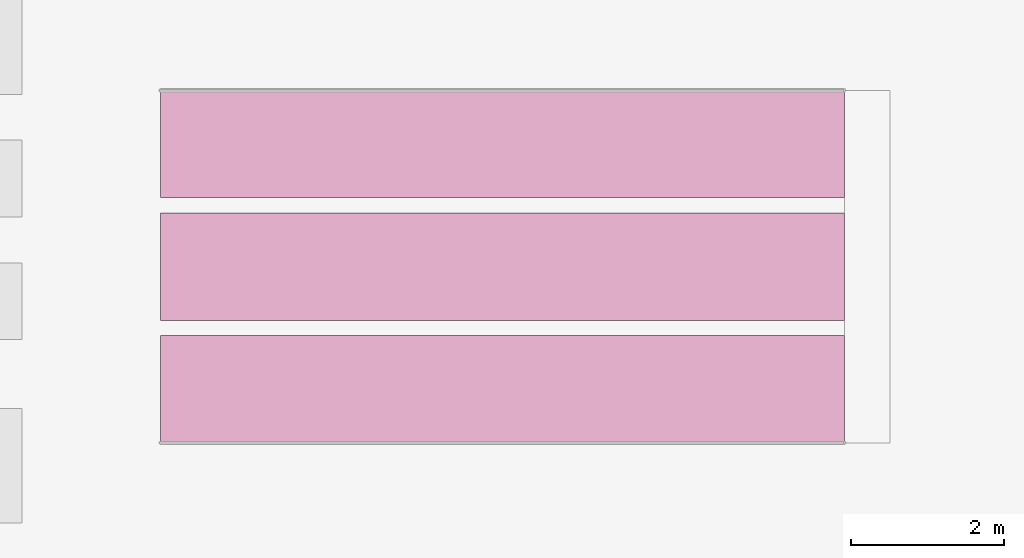
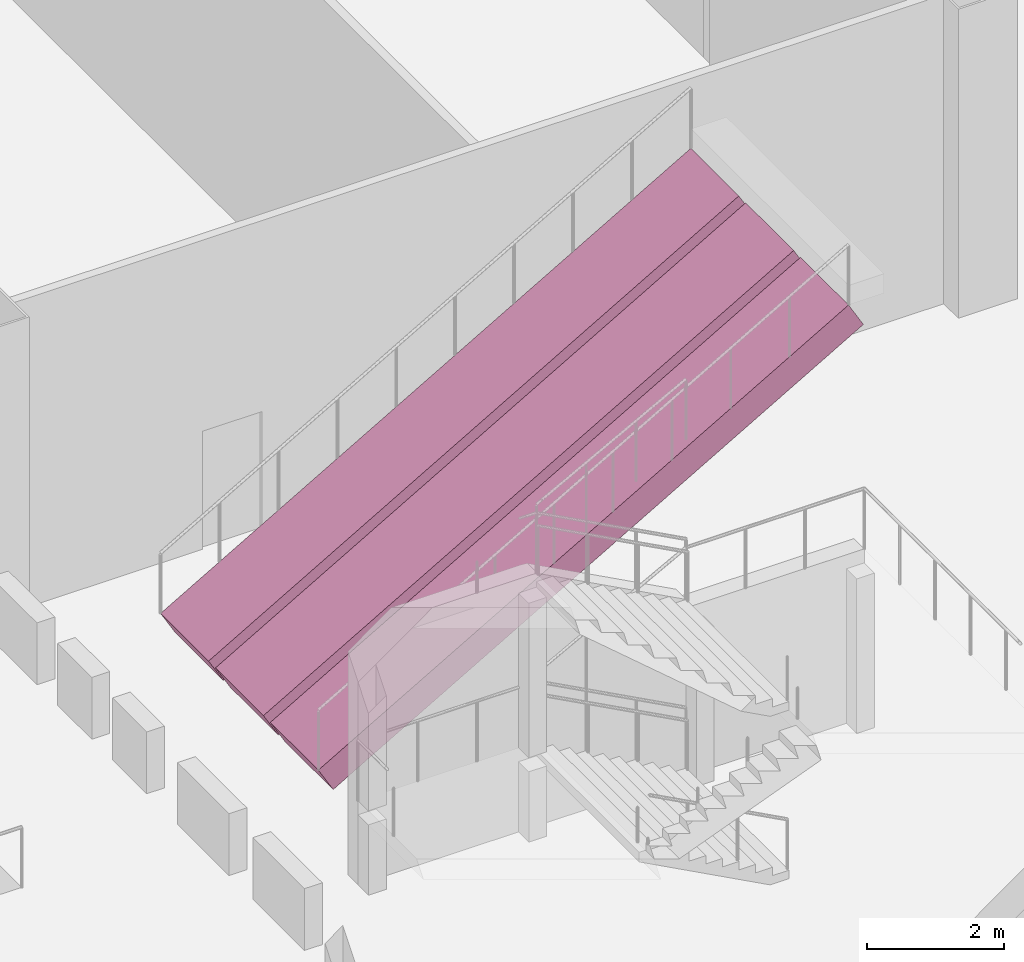
# One storey, part 92 of 100: 3 transport elements.
"""IFC4 building model written with IfcOpenShell, lengths in metres."""

from ifc_helpers import new_model, si_unit, direction, frame, origin, place, context, subcontext, project, spatial, polyline, outline, extrude, material, type_object, element, save


model = new_model("IFC4")

# Units and contexts
model_context = context("Model", 3, precision=1e-05, world=origin(), true_north=direction((0.0, 1.0)))
body_context = subcontext(model_context, "Body", "Model", "MODEL_VIEW")
ifc_project = project(units=[si_unit("LENGTHUNIT", "METRE"), si_unit("AREAUNIT", "SQUARE_METRE"), si_unit("VOLUMEUNIT", "CUBIC_METRE"), si_unit("PLANEANGLEUNIT", "RADIAN"), si_unit("MASSUNIT", "GRAM", prefix="KILO")], contexts=[model_context])

# Site, building, storey
site_placement = place(None, origin())
site = spatial("IfcSite", under=ifc_project, at=site_placement, CompositionType="ELEMENT")
building_placement = place(site_placement, origin())
building = spatial("IfcBuilding", under=site, at=building_placement, Name="Hakoniwa Tower and Hamabe Station Hall", CompositionType="ELEMENT")
storey_placement = place(building_placement, frame((0.0, 0.0, 9.0)))
storey = spatial("IfcBuildingStorey", under=building, at=storey_placement, Name="L02", CompositionType="ELEMENT", Elevation=9.0)

# Transport elements
ifc_material = material(Name="Stainless steel and glass", Category="steel")
transport_element_type = type_object("IfcTransportElementType", Name="ESCALATOR 1000 30DEG", PredefinedType="ESCALATOR", material=ifc_material)
transport_element_placement = place(storey_placement, frame((146.14990234375, 1.39990234375, 0.5), z_axis=(-0.499998569178, 0.0, 0.866026229868), x_axis=(0.866026229868, 0.0, 0.499998569178)))
element("IfcTransportElement", 1, at=transport_element_placement, inside=storey, type_object=transport_element_type, Name="Escalator ESC-B1 L02-L03 up", PredefinedType="ESCALATOR", context=body_context, shape_type="SweptSolid", body=[
    extrude(outline(polyline([(0.0, 0.0), (10.307158401666081, 0.0), (10.307158401666081, 1.4001464843750002), (0.0, 1.4001464843750002), (0.0, 0.0)])), origin(), (0.0, 0.0, -1.0), 0.5),
])
for number, where, z_axis, x_axis, name in (
    (2, (146.14990234375, 3.0, 0.5), (-0.499998569178, 0.0, 0.866026229868), (0.866026229868, 0.0, 0.499998569178), "Escalator ESC-B2 L02-L03 down"),
    (3, (146.14990234375, 4.60009765625, 0.5), (-0.499998569178, 0.0, 0.866026229868), (0.866026229868, 0.0, 0.499998569178), "Escalator ESC-B3 L02-L03 up"),
):
    element("IfcTransportElement", number, at=place(storey_placement, frame(where, z_axis=z_axis, x_axis=x_axis)), inside=storey, type_object=transport_element_type, Name=name, PredefinedType="ESCALATOR", context=body_context, shape_type="SweptSolid", body=[
        extrude(outline(polyline([(0.0, 0.0), (10.307158401666081, 0.0), (10.307158401666081, 1.3999023437500002), (0.0, 1.3999023437500002), (0.0, 0.0)])), origin(), (0.0, 0.0, -1.0), 0.5),
    ])

save(model, "model.ifc")
